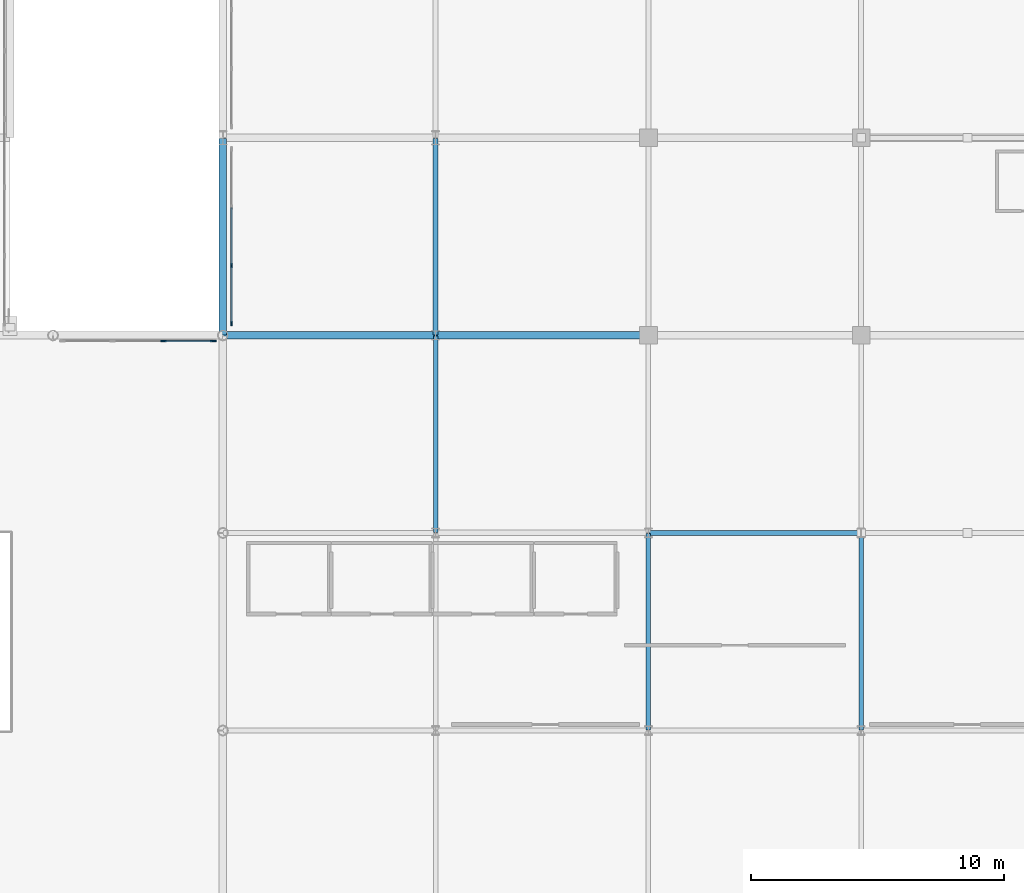
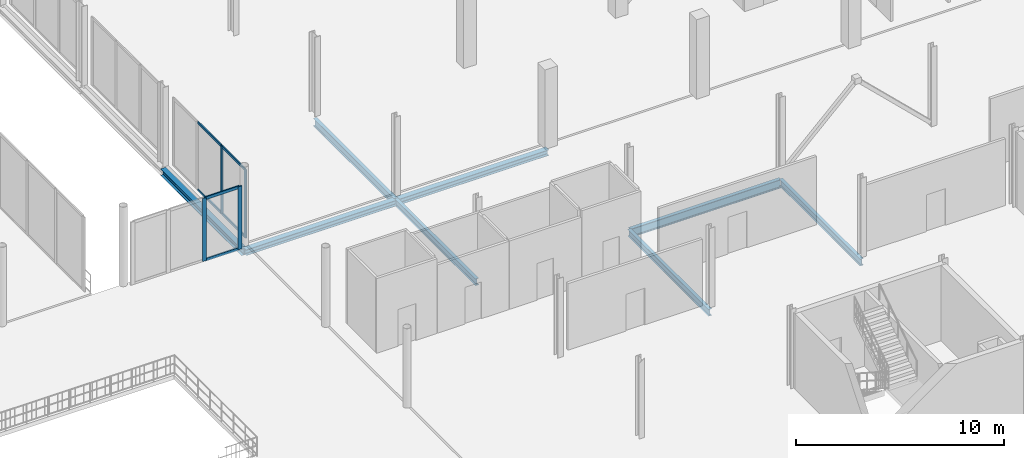
# One storey, part 48 of 98: 10 members, 8 beams, 2 elements without a shape of their own.
"""IFC4 building model written with IfcOpenShell, lengths in metres."""

from ifc_helpers import new_model, si_unit, direction, frame, origin, origin_2d, place, context, subcontext, project, spatial, rectangle, i_section, extrude, material, material_profile, profile_set, type_object, element, aggregate, save


model = new_model("IFC4")

# Units and contexts
model_context = context("Model", 3, precision=1e-05, world=origin(), true_north=direction((0.0, 1.0)))
body_context = subcontext(model_context, "Body", "Model", "MODEL_VIEW")
ifc_project = project(units=[si_unit("LENGTHUNIT", "METRE"), si_unit("AREAUNIT", "SQUARE_METRE"), si_unit("VOLUMEUNIT", "CUBIC_METRE"), si_unit("PLANEANGLEUNIT", "RADIAN"), si_unit("MASSUNIT", "GRAM", prefix="KILO")], contexts=[model_context])

# Site, building, storey
site_placement = place(None, origin())
site = spatial("IfcSite", under=ifc_project, at=site_placement, CompositionType="ELEMENT")
building_placement = place(site_placement, origin())
building = spatial("IfcBuilding", under=site, at=building_placement, Name="Nabrawat Pavilion Hospital", CompositionType="ELEMENT")
storey_placement = place(building_placement, frame((0.0, 0.0, 10.199951171875)))
storey = spatial("IfcBuildingStorey", under=building, at=storey_placement, Name="L02", CompositionType="ELEMENT", Elevation=10.199951171875)

# Curtain wall, members
ifc_material_1 = material(Name="Anodised Aluminium", Category="aluminium")
curtain_wall_type_1 = type_object("IfcCurtainWallType", Name="Healing Garden Cloister Curtain Wall", PredefinedType="USERDEFINED", material=ifc_material_1)
curtain_wall_1_placement = place(storey_placement, origin())
curtain_wall_1 = element("IfcCurtainWall", 1, at=curtain_wall_1_placement, inside=storey, type_object=curtain_wall_type_1, Name="L02 Healing Garden Cloister Curtain Wall 131", ObjectType="CURTAIN WALL", PredefinedType="USERDEFINED")
ifc_material_profile_1 = material_profile(ifc_material_1, rectangle(XDim=0.06494140625, YDim=0.179931640625, at=origin_2d()), Name="CWM 65x180")
ifc_profile_set_1 = profile_set([ifc_material_profile_1], Name="Anodised Aluminium")
member_type_1 = type_object("IfcMemberType", Name="Healing Garden Cloister Curtain Wall Mullion CWM 65x180", PredefinedType="MULLION", material=ifc_profile_set_1)
member_1_placement = place(storey_placement, frame((126.340087890625, 39.472412109375, 0.0), z_axis=(0.0, 0.0, 1.0), x_axis=(-1.0, 0.0, 0.0)))
member_1 = element("IfcMember", 2, at=member_1_placement, type_object=member_type_1, Name="CW-CLN-01 mullion 1", PredefinedType="MULLION", context=body_context, shape_type="SweptSolid", body=[
    extrude(rectangle(XDim=0.06494140625, YDim=0.179931640625, at=origin_2d()), origin(), (0.0, 0.0, 1.0), 3.989990234375),
])
member_2_placement = place(storey_placement, frame((126.340087890625, 41.7548828125, 0.0), z_axis=(0.0, 0.0, 1.0), x_axis=(-1.0, 0.0, 0.0)))
member_2 = element("IfcMember", 3, at=member_2_placement, type_object=member_type_1, Name="CW-CLN-01 mullion 2", PredefinedType="MULLION", context=body_context, shape_type="SweptSolid", body=[
    extrude(rectangle(XDim=0.06494140625, YDim=0.179931640625, at=origin_2d()), origin(), (0.0, 0.0, 1.0), 3.989990234375),
])
ifc_material_profile_2 = material_profile(ifc_material_1, rectangle(XDim=0.06494140625, YDim=0.135009765625, at=origin_2d()), Name="CWT 65x135")
ifc_profile_set_2 = profile_set([ifc_material_profile_2], Name="Anodised Aluminium")
member_type_2 = type_object("IfcMemberType", Name="Healing Garden Cloister Curtain Wall Transom CWT 65x135", PredefinedType="USERDEFINED", material=ifc_profile_set_2)
member_3_placement = place(storey_placement, frame((126.340087890625, 39.5048828125, 0.032470703125), z_axis=(0.0, 1.0, 0.0), x_axis=(-1.0, 0.0, 0.0)))
member_3 = element("IfcMember", 4, at=member_3_placement, type_object=member_type_2, Name="CW-CLN-01 transom 1.1", ObjectType="TRANSOM", PredefinedType="USERDEFINED", context=body_context, shape_type="SweptSolid", body=[
    extrude(rectangle(XDim=0.06494140625, YDim=0.135009765625, at=origin_2d()), origin(), (0.0, 0.0, 1.0), 2.217529296875),
])
member_4_placement = place(storey_placement, frame((126.340087890625, 39.5048828125, 3.95751953125), z_axis=(0.0, 1.0, 0.0), x_axis=(-1.0, 0.0, 0.0)))
member_4 = element("IfcMember", 5, at=member_4_placement, type_object=member_type_2, Name="CW-CLN-01 transom 1.2", ObjectType="TRANSOM", PredefinedType="USERDEFINED", context=body_context, shape_type="SweptSolid", body=[
    extrude(rectangle(XDim=0.06494140625, YDim=0.135009765625, at=origin_2d()), origin(), (0.0, 0.0, 1.0), 2.217529296875),
])
member_5_placement = place(storey_placement, frame((126.340087890625, 41.78759765625, 0.032470703125), z_axis=(0.0, 1.0, 0.0), x_axis=(-1.0, 0.0, 0.0)))
member_5 = element("IfcMember", 6, at=member_5_placement, type_object=member_type_2, Name="CW-CLN-01 transom 2.1", ObjectType="TRANSOM", PredefinedType="USERDEFINED", context=body_context, shape_type="SweptSolid", body=[
    extrude(rectangle(XDim=0.06494140625, YDim=0.135009765625, at=origin_2d()), origin(), (0.0, 0.0, 1.0), 2.25),
])
member_6_placement = place(storey_placement, frame((126.340087890625, 41.78759765625, 3.95751953125), z_axis=(0.0, 1.0, 0.0), x_axis=(-1.0, 0.0, 0.0)))
member_6 = element("IfcMember", 7, at=member_6_placement, type_object=member_type_2, Name="CW-CLN-01 transom 2.2", ObjectType="TRANSOM", PredefinedType="USERDEFINED", context=body_context, shape_type="SweptSolid", body=[
    extrude(rectangle(XDim=0.06494140625, YDim=0.135009765625, at=origin_2d()), origin(), (0.0, 0.0, 1.0), 2.25),
])
aggregate(curtain_wall_1, [member_1, member_2, member_3, member_4, member_5, member_6])

curtain_wall_type_2 = type_object("IfcCurtainWallType", Name="Main Hall Pavilion Unitised Curtain Wall", PredefinedType="USERDEFINED", material=ifc_material_1)
curtain_wall_2_placement = place(storey_placement, origin())
curtain_wall_2 = element("IfcCurtainWall", 8, at=curtain_wall_2_placement, inside=storey, type_object=curtain_wall_type_2, Name="L02 Main Hall Pavilion Unitised Curtain Wall 128", ObjectType="CURTAIN WALL", PredefinedType="USERDEFINED")
ifc_material_profile_3 = material_profile(ifc_material_1, rectangle(XDim=0.074951171875, YDim=0.219970703125, at=origin_2d()), Name="CWM 75x220")
ifc_profile_set_3 = profile_set([ifc_material_profile_3], Name="Anodised Aluminium")
member_type_3 = type_object("IfcMemberType", Name="Main Hall Pavilion Unitised Curtain Wall Mullion CWM 75x220", PredefinedType="MULLION", material=ifc_profile_set_3)
member_7_placement = place(storey_placement, frame((123.649658203125, 38.780029296875, 0.0), z_axis=(0.0, 0.0, 1.0), x_axis=(0.0, 1.0, 0.0)))
member_7 = element("IfcMember", 9, at=member_7_placement, type_object=member_type_3, Name="CW-MH-01 mullion 3", PredefinedType="MULLION", context=body_context, shape_type="SweptSolid", body=[
    extrude(rectangle(XDim=0.074951171875, YDim=0.219970703125, at=origin_2d()), origin(), (0.0, 0.0, 1.0), 3.679931640625),
])
member_8_placement = place(storey_placement, frame((125.619384765625, 38.780029296875, 0.0), z_axis=(0.0, 0.0, 1.0), x_axis=(0.0, 1.0, 0.0)))
member_8 = element("IfcMember", 10, at=member_8_placement, type_object=member_type_3, Name="CW-MH-01 mullion 4", PredefinedType="MULLION", context=body_context, shape_type="SweptSolid", body=[
    extrude(rectangle(XDim=0.074951171875, YDim=0.219970703125, at=origin_2d()), origin(), (0.0, 0.0, 1.0), 3.679931640625),
])
ifc_material_profile_4 = material_profile(ifc_material_1, rectangle(XDim=0.074951171875, YDim=0.1650390625, at=origin_2d()), Name="CWT 75x165")
ifc_profile_set_4 = profile_set([ifc_material_profile_4], Name="Anodised Aluminium")
member_type_4 = type_object("IfcMemberType", Name="Main Hall Pavilion Unitised Curtain Wall Transom CWT 75x165", PredefinedType="USERDEFINED", material=ifc_profile_set_4)
member_9_placement = place(storey_placement, frame((123.68701171875, 38.780029296875, 0.03759765625), z_axis=(1.0, 0.0, 0.0), x_axis=(0.0, 1.0, 0.0)))
member_9 = element("IfcMember", 11, at=member_9_placement, type_object=member_type_4, Name="CW-MH-01 transom 3.1", ObjectType="TRANSOM", PredefinedType="USERDEFINED", context=body_context, shape_type="SweptSolid", body=[
    extrude(rectangle(XDim=0.074951171875, YDim=0.1650390625, at=origin_2d()), origin(), (0.0, 0.0, 1.0), 1.894775390625),
])
member_10_placement = place(storey_placement, frame((123.68701171875, 38.780029296875, 3.642578125), z_axis=(1.0, 0.0, 0.0), x_axis=(0.0, 1.0, 0.0)))
member_10 = element("IfcMember", 12, at=member_10_placement, type_object=member_type_4, Name="CW-MH-01 transom 3.2", ObjectType="TRANSOM", PredefinedType="USERDEFINED", context=body_context, shape_type="SweptSolid", body=[
    extrude(rectangle(XDim=0.074951171875, YDim=0.1650390625, at=origin_2d()), origin(), (0.0, 0.0, 1.0), 1.894775390625),
])
aggregate(curtain_wall_2, [member_7, member_8, member_9, member_10])

# Beams
ifc_material_2 = material(Name="Steel S355", Category="steel")
ifc_material_profile_5 = material_profile(ifc_material_2, i_section(OverallWidth=0.300048828125, OverallDepth=0.389892578125, WebThickness=0.010986328125, FlangeThickness=0.01904296875, FilletRadius=0.027099609375, at=origin_2d()), Name="HEA 400")
ifc_profile_set_5 = profile_set([ifc_material_profile_5], Name="Steel S355")
beam_type_1 = type_object("IfcBeamType", Name="Perimeter Moment Spandrel Beam HEA 400", PredefinedType="SPANDREL", material=ifc_profile_set_5)
beam_1_placement = place(storey_placement, frame((126.0, 39.02001953125, -0.445068359375), z_axis=(0.0, 1.0, 0.0), x_axis=(-1.0, 0.0, 0.0)))
element("IfcBeam", 13, at=beam_1_placement, inside=storey, type_object=beam_type_1, Name="L02 Primary Y Beam 1281", PredefinedType="SPANDREL", context=body_context, shape_type="SweptSolid", body=[
    extrude(i_section(OverallWidth=0.300048828125, OverallDepth=0.389892578125, WebThickness=0.010986328125, FlangeThickness=0.01904296875, FilletRadius=0.027099609375, at=origin_2d()), origin(), (0.0, 0.0, 1.0), 7.760009765625),
])
ifc_material_profile_6 = material_profile(ifc_material_2, i_section(OverallWidth=0.18994140625, OverallDepth=0.449951171875, WebThickness=0.009521484375, FlangeThickness=0.0146484375, FilletRadius=0.02099609375, at=origin_2d()), Name="IPE 450")
ifc_profile_set_6 = profile_set([ifc_material_profile_6], Name="Steel S355")
beam_type_2 = type_object("IfcBeamType", Name="Primary Y Floor Beam IPE 450", PredefinedType="BEAM", material=ifc_profile_set_6)
beam_2_placement = place(storey_placement, frame((134.39990234375, 39.02001953125, -0.474853515625), z_axis=(0.0, 1.0, 0.0), x_axis=(-1.0, 0.0, 0.0)))
element("IfcBeam", 14, at=beam_2_placement, inside=storey, type_object=beam_type_2, Name="L02 Primary Y Beam 1297", PredefinedType="BEAM", context=body_context, shape_type="SweptSolid", body=[
    extrude(i_section(OverallWidth=0.18994140625, OverallDepth=0.449951171875, WebThickness=0.009521484375, FlangeThickness=0.0146484375, FilletRadius=0.02099609375, at=origin_2d()), origin(), (0.0, 0.0, 1.0), 7.760009765625),
])
ifc_material_profile_7 = material_profile(ifc_material_2, i_section(OverallWidth=0.199951171875, OverallDepth=0.5, WebThickness=0.01025390625, FlangeThickness=0.01611328125, FilletRadius=0.02099609375, at=origin_2d()), Name="IPE 500")
ifc_profile_set_7 = profile_set([ifc_material_profile_7], Name="Steel S355")
beam_type_3 = type_object("IfcBeamType", Name="Standard X Floor Girder IPE 500", PredefinedType="USERDEFINED", material=ifc_profile_set_7)
beam_3_placement = place(storey_placement, frame((142.820068359375, 31.199951171875, -0.47998046875), z_axis=(1.0, 0.0, 0.0), x_axis=(0.0, 1.0, 0.0)))
element("IfcBeam", 15, at=beam_3_placement, inside=storey, type_object=beam_type_3, Name="L02 Primary X Girder 985", ObjectType="GIRDER", PredefinedType="USERDEFINED", context=body_context, shape_type="SweptSolid", body=[
    extrude(i_section(OverallWidth=0.199951171875, OverallDepth=0.5, WebThickness=0.01025390625, FlangeThickness=0.01611328125, FilletRadius=0.02099609375, at=origin_2d()), origin(), (0.0, 0.0, 1.0), 8.35986328125),
])
ifc_material_profile_8 = material_profile(ifc_material_2, i_section(OverallWidth=0.179931640625, OverallDepth=0.39990234375, WebThickness=0.008544921875, FlangeThickness=0.013427734375, FilletRadius=0.02099609375, at=origin_2d()), Name="IPE 400")
ifc_profile_set_8 = profile_set([ifc_material_profile_8], Name="Steel S355")
beam_type_4 = type_object("IfcBeamType", Name="Standard Y Floor Beam IPE 400", PredefinedType="BEAM", material=ifc_profile_set_8)
for number, where, z_axis, x_axis, name in (
    (16, (134.39990234375, 31.219970703125, -0.429931640625), (0.0, 1.0, 0.0), (-1.0, 0.0, 0.0), "L02 Primary Y Beam 1296"),
    (17, (142.800048828125, 23.419921875, -0.429931640625), (0.0, 1.0, 0.0), (-1.0, 0.0, 0.0), "L02 Primary Y Beam 1311"),
    (18, (151.199951171875, 23.419921875, -0.429931640625), (0.0, 1.0, 0.0), (-1.0, 0.0, 0.0), "L02 Primary Y Beam 1327"),
):
    element("IfcBeam", number, at=place(storey_placement, frame(where, z_axis=z_axis, x_axis=x_axis)), inside=storey, type_object=beam_type_4, Name=name, PredefinedType="BEAM", context=body_context, shape_type="SweptSolid", body=[
        extrude(i_section(OverallWidth=0.179931640625, OverallDepth=0.39990234375, WebThickness=0.008544921875, FlangeThickness=0.013427734375, FilletRadius=0.02099609375, at=origin_2d()), origin(), (0.0, 0.0, 1.0), 7.760009765625),
    ])
ifc_material_profile_9 = material_profile(ifc_material_2, i_section(OverallWidth=0.300048828125, OverallDepth=0.340087890625, WebThickness=0.011962890625, FlangeThickness=0.021484375, FilletRadius=0.027099609375, at=origin_2d()), Name="HEB 340")
ifc_profile_set_9 = profile_set([ifc_material_profile_9], Name="Steel S355")
beam_type_5 = type_object("IfcBeamType", Name="Ward Perimeter Spandrel Beam HEB 340", PredefinedType="SPANDREL", material=ifc_profile_set_9)
beam_4_placement = place(storey_placement, frame((126.02001953125, 39.0, -0.419921875), z_axis=(1.0, 0.0, 0.0), x_axis=(0.0, 1.0, 0.0)))
element("IfcBeam", 19, at=beam_4_placement, inside=storey, type_object=beam_type_5, Name="L02 Primary X Girder 1006", PredefinedType="SPANDREL", context=body_context, shape_type="SweptSolid", body=[
    extrude(i_section(OverallWidth=0.300048828125, OverallDepth=0.340087890625, WebThickness=0.011962890625, FlangeThickness=0.021484375, FilletRadius=0.027099609375, at=origin_2d()), origin(), (0.0, 0.0, 1.0), 8.35986328125),
])
beam_5_placement = place(storey_placement, frame((134.419921875, 39.0, -0.419921875), z_axis=(1.0, 0.0, 0.0), x_axis=(0.0, 1.0, 0.0)))
element("IfcBeam", 20, at=beam_5_placement, inside=storey, type_object=beam_type_5, Name="L02 Primary X Girder 1007", PredefinedType="SPANDREL", context=body_context, shape_type="SweptSolid", body=[
    extrude(i_section(OverallWidth=0.300048828125, OverallDepth=0.340087890625, WebThickness=0.011962890625, FlangeThickness=0.021484375, FilletRadius=0.027099609375, at=origin_2d()), origin(), (0.0, 0.0, 1.0), 8.360107421875),
])

save(model, "model.ifc")
